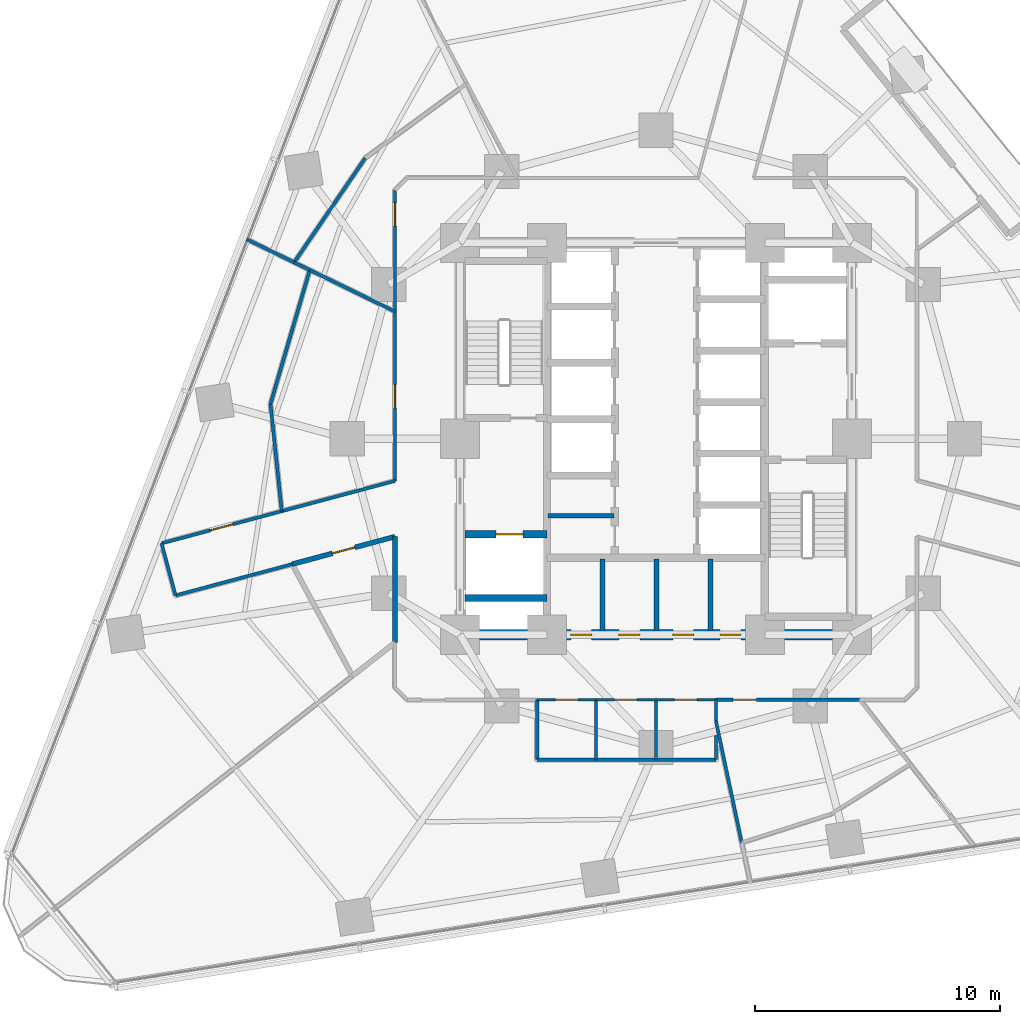
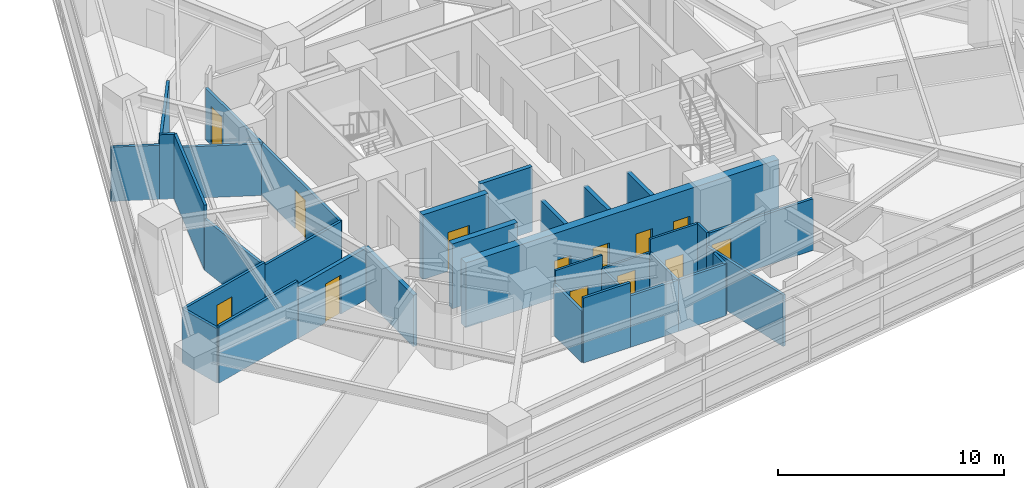
# One storey, part 7 of 13: 34 walls, 13 doors, 13 openings.
"""IFC4 building model written with IfcOpenShell, lengths in metres."""

from ifc_helpers import new_model, si_unit, direction, frame, frame_2d, origin, place, context, subcontext, project, spatial, rectangle, extrude, material, layer, layer_set, type_object, element, fill, save


model = new_model("IFC4")

# Units and contexts
model_context = context("Model", 3, precision=1e-05, world=origin(), true_north=direction((0.0, 1.0)))
body_context = subcontext(model_context, "Body", "Model", "MODEL_VIEW")
ifc_project = project(units=[si_unit("LENGTHUNIT", "METRE"), si_unit("AREAUNIT", "SQUARE_METRE"), si_unit("VOLUMEUNIT", "CUBIC_METRE"), si_unit("PLANEANGLEUNIT", "RADIAN"), si_unit("MASSUNIT", "GRAM", prefix="KILO")], contexts=[model_context])

# Site, building, storey
site_placement = place(None, origin())
site = spatial("IfcSite", under=ifc_project, at=site_placement, CompositionType="ELEMENT")
building_placement = place(site_placement, origin())
building = spatial("IfcBuilding", under=site, at=building_placement, Name="Terralouvre Media Tower", CompositionType="ELEMENT")
storey_placement = place(building_placement, frame((0.0, 0.0, 77.800048828125)))
storey = spatial("IfcBuildingStorey", under=building, at=storey_placement, Name="L19", CompositionType="ELEMENT", Elevation=77.800048828125)

# Wall, opening, door
ifc_material_1 = material(Name="Concrete C50/60", Category="concrete")
ifc_layer_1 = layer(ifc_material_1, 0.300048828125, Name="Core Internal Shaft Wall CW-300")
ifc_layer_set_1 = layer_set([ifc_layer_1], Name="Concrete C50/60")
wall_type_1 = type_object("IfcWallType", Name="Core Internal Shaft Wall CW-300", PredefinedType="SHEAR", material=ifc_layer_set_1)
wall_1_placement = place(storey_placement, frame((-7.7900390625, -3.89990234375, 0.0), z_axis=(0.0, 0.0, 1.0), x_axis=(1.0, 0.0, 0.0)))
wall_1 = element("IfcWall", 1, at=wall_1_placement, inside=storey, type_object=wall_type_1, Name="L19 Core Shaft Wall FF1N", PredefinedType="SHEAR", context=body_context, shape_type="SweptSolid", body=[
    extrude(rectangle(XDim=3.340087890625, YDim=0.300048828125, at=frame_2d((1.669921875, 0.0))), origin(), (0.0, 0.0, 1.0), 3.5),
])
opening_1_placement = place(wall_1_placement, frame((1.27001953125, 0.0, 0.0)))
opening_1 = element("IfcOpeningElement", 2, at=opening_1_placement, cuts=wall_1, Name="Opening LD-FF", PredefinedType="OPENING", context=body_context, shape_type="SweptSolid", body=[
    extrude(rectangle(XDim=1.10009765625, YDim=2.10009765625, at=frame_2d((0.550048828125, 1.050048828125))), frame((0.0, 0.159912109375, 0.0), z_axis=(0.0, -1.0, 0.0), x_axis=(1.0, 0.0, 0.0)), (0.0, 0.0, 1.0), 0.320068359375),
])
ifc_material_2 = material(Name="Stainless steel 316 handrail and balustrade", Category="steel")
door_type_1 = type_object("IfcDoorType", Name="Firefighting Lift Sliding Landing Door LD-FF", OperationType="SLIDING_TO_LEFT", PredefinedType="DOOR", material=ifc_material_2)
door_1_placement = place(opening_1_placement, origin())
door_1 = element("IfcDoor", 3, at=door_1_placement, inside=storey, type_object=door_type_1, Name="L19 Firefighting Lift FFL-01 Landing Door", OperationType="SLIDING_TO_LEFT", OverallHeight=2.10009765625, OverallWidth=1.10009765625, PredefinedType="DOOR", context=body_context, shape_type="SweptSolid", body=[
    extrude(rectangle(XDim=1.10009765625, YDim=2.10009765625, at=frame_2d((0.550048828125, 1.050048828125))), frame((0.0, 0.02490234375, 0.0), z_axis=(0.0, -1.0, 0.0), x_axis=(1.0, 0.0, 0.0)), (0.0, 0.0, 1.0), 0.050048828125),
])
fill(opening_1, door_1)

# Wall
wall_2_placement = place(storey_placement, frame((-7.7900390625, -6.5, 0.0), z_axis=(0.0, 0.0, 1.0), x_axis=(1.0, 0.0, 0.0)))
element("IfcWall", 4, at=wall_2_placement, inside=storey, type_object=wall_type_1, Name="L19 Core Shaft Wall FF1S", PredefinedType="SHEAR", context=body_context, shape_type="SweptSolid", body=[
    extrude(rectangle(XDim=3.340087890625, YDim=0.300048828125, at=frame_2d((1.669921875, 0.0))), origin(), (0.0, 0.0, 1.0), 3.5),
])

# Wall, openings, doors
ifc_material_3 = material(Name="Concrete C60/75", Category="concrete")
ifc_layer_2 = layer(ifc_material_3, 0.419921875, Name="Core Reinforced Concrete Shear Wall CW-420")
ifc_layer_set_2 = layer_set([ifc_layer_2], Name="Concrete C60/75")
wall_type_2 = type_object("IfcWallType", Name="Core Reinforced Concrete Shear Wall CW-420", PredefinedType="SHEAR", material=ifc_layer_set_2)
wall_3_placement = place(storey_placement, frame((-8.0, -8.0, 0.0), z_axis=(0.0, 0.0, 1.0), x_axis=(1.0, 0.0, 0.0)))
wall_3 = element("IfcWall", 5, at=wall_3_placement, inside=storey, type_object=wall_type_2, Name="L19 S Core Shear Wall", PredefinedType="SHEAR", context=body_context, shape_type="SweptSolid", body=[
    extrude(rectangle(XDim=16.0, YDim=0.419921875, at=frame_2d((8.0, 0.0))), origin(), (0.0, 0.0, 1.0), 3.5),
])
opening_2_placement = place(wall_3_placement, frame((4.52880859375, 0.0, 0.0)))
opening_2 = element("IfcOpeningElement", 6, at=opening_2_placement, cuts=wall_3, Name="Opening TD-R1", PredefinedType="OPENING", context=body_context, shape_type="SweptSolid", body=[
    extrude(rectangle(XDim=0.85009765625, YDim=2.02001953125, at=frame_2d((0.425048828125, 1.010009765625))), frame((0.0, 0.219970703125, 0.0), z_axis=(0.0, -1.0, 0.0), x_axis=(1.0, 0.0, 0.0)), (0.0, 0.0, 1.0), 0.43994140625),
])
opening_3_placement = place(wall_3_placement, frame((6.489990234375, 0.0, 0.0)))
opening_3 = element("IfcOpeningElement", 7, at=opening_3_placement, cuts=wall_3, Name="Opening TD-R1", PredefinedType="OPENING", context=body_context, shape_type="SweptSolid", body=[
    extrude(rectangle(XDim=0.85009765625, YDim=2.02001953125, at=frame_2d((0.425048828125, 1.010009765625))), frame((0.0, 0.219970703125, 0.0), z_axis=(0.0, -1.0, 0.0), x_axis=(1.0, 0.0, 0.0)), (0.0, 0.0, 1.0), 0.43994140625),
])
opening_4_placement = place(wall_3_placement, frame((8.68994140625, 0.0, 0.0)))
opening_4 = element("IfcOpeningElement", 8, at=opening_4_placement, cuts=wall_3, Name="Opening TD-R1", PredefinedType="OPENING", context=body_context, shape_type="SweptSolid", body=[
    extrude(rectangle(XDim=0.85009765625, YDim=2.02001953125, at=frame_2d((0.425048828125, 1.010009765625))), frame((0.0, 0.219970703125, 0.0), z_axis=(0.0, -1.0, 0.0), x_axis=(1.0, 0.0, 0.0)), (0.0, 0.0, 1.0), 0.43994140625),
])
opening_5_placement = place(wall_3_placement, frame((10.62109375, 0.0, 0.0)))
opening_5 = element("IfcOpeningElement", 9, at=opening_5_placement, cuts=wall_3, Name="Opening TD-R1", PredefinedType="OPENING", context=body_context, shape_type="SweptSolid", body=[
    extrude(rectangle(XDim=0.85009765625, YDim=2.02001953125, at=frame_2d((0.425048828125, 1.010009765625))), frame((0.0, 0.219970703125, 0.0), z_axis=(0.0, -1.0, 0.0), x_axis=(1.0, 0.0, 0.0)), (0.0, 0.0, 1.0), 0.43994140625),
])
ifc_material_4 = material(Name="Galvanised steel fire-resisting leaf", Category="steel")
door_type_2 = type_object("IfcDoorType", Name="Riser Inspection Access Trapdoor TD-R1", OperationType="NOTDEFINED", PredefinedType="TRAPDOOR", material=ifc_material_4)
door_2_placement = place(opening_2_placement, origin())
door_2 = element("IfcDoor", 10, at=door_2_placement, inside=storey, type_object=door_type_2, Name="L19 Core Battery Plant Door", OperationType="SINGLE_SWING_LEFT", OverallHeight=2.02001953125, OverallWidth=0.85009765625, PredefinedType="TRAPDOOR", context=body_context, shape_type="SweptSolid", body=[
    extrude(rectangle(XDim=0.85009765625, YDim=2.02001953125, at=frame_2d((0.425048828125, 1.010009765625))), frame((0.0, 0.02490234375, 0.0), z_axis=(0.0, -1.0, 0.0), x_axis=(1.0, 0.0, 0.0)), (0.0, 0.0, 1.0), 0.050048828125),
])
fill(opening_2, door_2)
door_3_placement = place(opening_3_placement, origin())
door_3 = element("IfcDoor", 11, at=door_3_placement, inside=storey, type_object=door_type_2, Name="L19 Core IT Patch Plant Door", OperationType="SINGLE_SWING_RIGHT", OverallHeight=2.02001953125, OverallWidth=0.85009765625, PredefinedType="TRAPDOOR", context=body_context, shape_type="SweptSolid", body=[
    extrude(rectangle(XDim=0.85009765625, YDim=2.02001953125, at=frame_2d((0.425048828125, 1.010009765625))), frame((0.0, 0.02490234375, 0.0), z_axis=(0.0, -1.0, 0.0), x_axis=(1.0, 0.0, 0.0)), (0.0, 0.0, 1.0), 0.050048828125),
])
fill(opening_3, door_3)
door_4_placement = place(opening_4_placement, origin())
door_4 = element("IfcDoor", 12, at=door_4_placement, inside=storey, type_object=door_type_2, Name="L19 Core Housekeeping Store Door", OperationType="SINGLE_SWING_LEFT", OverallHeight=2.02001953125, OverallWidth=0.85009765625, PredefinedType="TRAPDOOR", context=body_context, shape_type="SweptSolid", body=[
    extrude(rectangle(XDim=0.85009765625, YDim=2.02001953125, at=frame_2d((0.425048828125, 1.010009765625))), frame((0.0, 0.02490234375, 0.0), z_axis=(0.0, -1.0, 0.0), x_axis=(1.0, 0.0, 0.0)), (0.0, 0.0, 1.0), 0.050048828125),
])
fill(opening_4, door_4)
door_5_placement = place(opening_5_placement, origin())
door_5 = element("IfcDoor", 13, at=door_5_placement, inside=storey, type_object=door_type_2, Name="L19 Core Smoke Damper Plant Door", OperationType="SINGLE_SWING_RIGHT", OverallHeight=2.02001953125, OverallWidth=0.85009765625, PredefinedType="TRAPDOOR", context=body_context, shape_type="SweptSolid", body=[
    extrude(rectangle(XDim=0.85009765625, YDim=2.02001953125, at=frame_2d((0.425048828125, 1.010009765625))), frame((0.0, 0.02490234375, 0.0), z_axis=(0.0, -1.0, 0.0), x_axis=(1.0, 0.0, 0.0)), (0.0, 0.0, 1.0), 0.050048828125),
])
fill(opening_5, door_5)

# Walls
ifc_material_5 = material(Name="Fire-rated gypsum board drywall partition")
ifc_layer_3 = layer(ifc_material_5, 0.199951171875, Name="Fire-Rated Shaft and Lobby Partition FW-200")
ifc_layer_set_3 = layer_set([ifc_layer_3], Name="Fire-rated gypsum board drywall partition")
wall_type_3 = type_object("IfcWallType", Name="Fire-Rated Shaft and Lobby Partition FW-200", PredefinedType="SOLIDWALL", material=ifc_layer_set_3)
for number, where, z_axis, x_axis, name in (
    (14, (-2.179931640625, -7.85009765625, 0.0), (0.0, 0.0, 1.0), (0.0, 1.0, 0.0), "L19 Core Service Bay Partition 1"),
    (15, (0.02001953125, -7.85009765625, 0.0), (0.0, 0.0, 1.0), (0.0, 1.0, 0.0), "L19 Core Service Bay Partition 2"),
    (16, (2.219970703125, -7.85009765625, 0.0), (0.0, 0.0, 1.0), (0.0, 1.0, 0.0), "L19 Core Service Bay Partition 3"),
):
    element("IfcWall", number, at=place(storey_placement, frame(where, z_axis=z_axis, x_axis=x_axis)), inside=storey, type_object=wall_type_3, Name=name, PredefinedType="SOLIDWALL", context=body_context, shape_type="SweptSolid", body=[
        extrude(rectangle(XDim=2.9501953125, YDim=0.199951171875, at=frame_2d((1.47509765625, 0.0))), origin(), (0.0, 0.0, 1.0), 2.885009765625),
    ])
wall_4_placement = place(storey_placement, frame((-4.39990234375, -3.139892578125, 0.0), z_axis=(0.0, 0.0, 1.0), x_axis=(1.0, 0.0, 0.0)))
element("IfcWall", 17, at=wall_4_placement, inside=storey, type_object=wall_type_3, Name="L19 Core West Sub-Partition 1", PredefinedType="SOLIDWALL", context=body_context, shape_type="SweptSolid", body=[
    extrude(rectangle(XDim=2.679931640625, YDim=0.199951171875, at=frame_2d((1.33984375, 0.0))), origin(), (0.0, 0.0, 1.0), 3.5),
])

# Wall, opening, door
wall_5_placement = place(storey_placement, frame((-14.85107421875, -5.117919921875, 0.0), z_axis=(0.0, 0.0, 1.0), x_axis=(0.965909963178, 0.258878239783, 0.0)))
wall_5 = element("IfcWall", 18, at=wall_5_placement, inside=storey, type_object=wall_type_3, Name="L19 Interior Partition 015", PredefinedType="SOLIDWALL", context=body_context, shape_type="SweptSolid", body=[
    extrude(rectangle(XDim=4.349365234375, YDim=0.199951171875, at=frame_2d((2.1748046875, 0.0))), origin(), (0.0, 0.0, 1.0), 2.784912109375),
])
opening_6_placement = place(wall_5_placement, frame((1.69970703125, 0.0, 0.0)))
opening_6 = element("IfcOpeningElement", 19, at=opening_6_placement, cuts=wall_5, Name="Opening FD-02-95X210", PredefinedType="OPENING", context=body_context, shape_type="SweptSolid", body=[
    extrude(rectangle(XDim=0.949951171875, YDim=2.10009765625, at=frame_2d((0.47509765625, 1.050048828125))), frame((0.0, 0.10986328125, 0.0), z_axis=(0.0, -1.0, 0.0), x_axis=(1.0, 0.0, 0.0)), (0.0, 0.0, 1.0), 0.219970703125),
])
ifc_material_6 = material(Name="Galvanised steel fire-resisting leaf", Category="steel")
door_type_3 = type_object("IfcDoorType", Name="Plant and Riser Fire Door FD-02 (950x2100)", OperationType="NOTDEFINED", PredefinedType="DOOR", material=ifc_material_6)
door_6_placement = place(opening_6_placement, origin())
door_6 = element("IfcDoor", 20, at=door_6_placement, inside=storey, type_object=door_type_3, Name="L19 Satellite Downlink Server Room 3 Door", OperationType="SINGLE_SWING_RIGHT", OverallHeight=2.10009765625, OverallWidth=0.949951171875, PredefinedType="DOOR", context=body_context, shape_type="SweptSolid", body=[
    extrude(rectangle(XDim=0.949951171875, YDim=2.10009765625, at=frame_2d((0.47509765625, 1.050048828125))), frame((0.0, 0.02490234375, 0.0), z_axis=(0.0, -1.0, 0.0), x_axis=(1.0, 0.0, 0.0)), (0.0, 0.0, 1.0), 0.050048828125),
])
fill(opening_6, door_6)

# Wall
wall_6_placement = place(storey_placement, frame((-10.64990234375, -3.991943359375, 0.0), z_axis=(0.0, 0.0, 1.0), x_axis=(0.0, -1.0, 0.0)))
element("IfcWall", 21, at=wall_6_placement, inside=storey, type_object=wall_type_3, Name="L19 Interior Partition 016", PredefinedType="SOLIDWALL", context=body_context, shape_type="SweptSolid", body=[
    extrude(rectangle(XDim=4.3291015625, YDim=0.199951171875, at=frame_2d((2.16455078125, 0.0))), origin(), (0.0, 0.0, 1.0), 2.784912109375),
])

# Wall, opening, door
ifc_material_7 = material(Name="Fire-rated gypsum board drywall partition")
ifc_layer_4 = layer(ifc_material_7, 0.135009765625, Name="Newsroom Acoustic Partition PT-135")
ifc_layer_set_4 = layer_set([ifc_layer_4], Name="Fire-rated gypsum board drywall partition")
wall_type_4 = type_object("IfcWallType", Name="Newsroom Acoustic Partition PT-135", PredefinedType="PARTITIONING", material=ifc_layer_set_4)
wall_7_placement = place(storey_placement, frame((-15.27587890625, -2.9541015625, 0.0), z_axis=(0.0, 0.0, 1.0), x_axis=(-0.965923168362, -0.258828964418, 0.0)))
wall_7 = element("IfcWall", 22, at=wall_7_placement, inside=storey, type_object=wall_type_4, Name="L19 Interior Partition 017", PredefinedType="PARTITIONING", context=body_context, shape_type="SweptSolid", body=[
    extrude(rectangle(XDim=5.080322265625, YDim=0.135009765625, at=frame_2d((2.5400390625, 0.0))), origin(), (0.0, 0.0, 1.0), 2.93505859375),
])
opening_7_placement = place(wall_7_placement, frame((2.065185546875, 0.0, 0.0)))
opening_7 = element("IfcOpeningElement", 23, at=opening_7_placement, cuts=wall_7, Name="Opening ID-02-95X210", PredefinedType="OPENING", context=body_context, shape_type="SweptSolid", body=[
    extrude(rectangle(XDim=0.949951171875, YDim=2.10009765625, at=frame_2d((0.47509765625, 1.050048828125))), frame((0.0, 0.077392578125, 0.0), z_axis=(0.0, -1.0, 0.0), x_axis=(1.0, 0.0, 0.0)), (0.0, 0.0, 1.0), 0.155029296875),
])
ifc_material_8 = material(Name="Engineered hardwood acoustic timber leaf", Category="wood")
door_type_4 = type_object("IfcDoorType", Name="Office and Meeting Room Door ID-02 (950x2100)", OperationType="NOTDEFINED", PredefinedType="DOOR", material=ifc_material_8)
door_7_placement = place(opening_7_placement, origin())
door_7 = element("IfcDoor", 24, at=door_7_placement, inside=storey, type_object=door_type_4, Name="L19 Treaty Reference Library 4 Door", OperationType="SINGLE_SWING_LEFT", OverallHeight=2.10009765625, OverallWidth=0.949951171875, PredefinedType="DOOR", context=body_context, shape_type="SweptSolid", body=[
    extrude(rectangle(XDim=0.949951171875, YDim=2.10009765625, at=frame_2d((0.47509765625, 1.050048828125))), frame((0.0, 0.02490234375, 0.0), z_axis=(0.0, -1.0, 0.0), x_axis=(1.0, 0.0, 0.0)), (0.0, 0.0, 1.0), 0.050048828125),
])
fill(opening_7, door_7)

# Walls
wall_8_placement = place(storey_placement, frame((-20.18310546875, -4.26904296875, 0.0), z_axis=(0.0, 0.0, 1.0), x_axis=(0.259105843213, -0.965848933329, 0.0)))
element("IfcWall", 25, at=wall_8_placement, inside=storey, type_object=wall_type_4, Name="L19 Interior Partition 018", PredefinedType="PARTITIONING", context=body_context, shape_type="SweptSolid", body=[
    extrude(rectangle(XDim=2.2001953125, YDim=0.135009765625, at=frame_2d((1.10009765625, 0.0))), origin(), (0.0, 0.0, 1.0), 2.93505859375),
])
wall_9_placement = place(storey_placement, frame((-19.613037109375, -6.39404296875, 0.0), z_axis=(0.0, 0.0, 1.0), x_axis=(0.965917766169, 0.258849124007, 0.0)))
element("IfcWall", 26, at=wall_9_placement, inside=storey, type_object=wall_type_4, Name="L19 Interior Partition 019", PredefinedType="PARTITIONING", context=body_context, shape_type="SweptSolid", body=[
    extrude(rectangle(XDim=4.929931640625, YDim=0.135009765625, at=frame_2d((2.46484375, 0.0))), origin(), (0.0, 0.0, 1.0), 3.0849609375),
])

# Wall, opening, door
wall_10_placement = place(storey_placement, frame((-10.64990234375, 5.194091796875, 0.0), z_axis=(0.0, 0.0, 1.0), x_axis=(0.0, -1.0, 0.0)))
wall_10 = element("IfcWall", 27, at=wall_10_placement, inside=storey, type_object=wall_type_4, Name="L19 Interior Partition 020", PredefinedType="PARTITIONING", context=body_context, shape_type="SweptSolid", body=[
    extrude(rectangle(XDim=6.9091796875, YDim=0.135009765625, at=frame_2d((3.45458984375, 0.0))), origin(), (0.0, 0.0, 1.0), 2.784912109375),
])
opening_8_placement = place(wall_10_placement, frame((2.9794921875, 0.0, 0.0)))
opening_8 = element("IfcOpeningElement", 28, at=opening_8_placement, cuts=wall_10, Name="Opening ID-02-95X210", PredefinedType="OPENING", context=body_context, shape_type="SweptSolid", body=[
    extrude(rectangle(XDim=0.949951171875, YDim=2.10009765625, at=frame_2d((0.47509765625, 1.050048828125))), frame((0.0, 0.077392578125, 0.0), z_axis=(0.0, -1.0, 0.0), x_axis=(1.0, 0.0, 0.0)), (0.0, 0.0, 1.0), 0.155029296875),
])
door_8_placement = place(opening_8_placement, origin())
door_8 = element("IfcDoor", 29, at=door_8_placement, inside=storey, type_object=door_type_4, Name="L19 Editorial Collaborative Open Office 5 Door", OperationType="SINGLE_SWING_RIGHT", OverallHeight=2.10009765625, OverallWidth=0.949951171875, PredefinedType="DOOR", context=body_context, shape_type="SweptSolid", body=[
    extrude(rectangle(XDim=0.949951171875, YDim=2.10009765625, at=frame_2d((0.47509765625, 1.050048828125))), frame((0.0, 0.02490234375, 0.0), z_axis=(0.0, -1.0, 0.0), x_axis=(1.0, 0.0, 0.0)), (0.0, 0.0, 1.0), 0.050048828125),
])
fill(opening_8, door_8)

# Wall
wall_11_placement = place(storey_placement, frame((-10.64990234375, -1.715087890625, 0.0), z_axis=(0.0, 0.0, 1.0), x_axis=(-0.965952601708, -0.258719097196, 0.0)))
element("IfcWall", 30, at=wall_11_placement, inside=storey, type_object=wall_type_4, Name="L19 Interior Partition 021", PredefinedType="PARTITIONING", context=body_context, shape_type="SweptSolid", body=[
    extrude(rectangle(XDim=4.7890625, YDim=0.135009765625, at=frame_2d((2.39453125, 0.0))), origin(), (0.0, 0.0, 1.0), 2.784912109375),
])

# Wall, opening, door
wall_12_placement = place(storey_placement, frame((2.449951171875, -10.64990234375, 0.0), z_axis=(0.0, 0.0, 1.0), x_axis=(1.0, 0.0, 0.0)))
wall_12 = element("IfcWall", 31, at=wall_12_placement, inside=storey, type_object=wall_type_4, Name="L19 Interior Partition 028", PredefinedType="PARTITIONING", context=body_context, shape_type="SweptSolid", body=[
    extrude(rectangle(XDim=5.87109375, YDim=0.135009765625, at=frame_2d((2.935546875, 0.0))), origin(), (0.0, 0.0, 1.0), 2.784912109375),
])
opening_9_placement = place(wall_12_placement, frame((0.69921875, 0.0, 0.0)))
opening_9 = element("IfcOpeningElement", 32, at=opening_9_placement, cuts=wall_12, Name="Opening ID-02-95X210", PredefinedType="OPENING", context=body_context, shape_type="SweptSolid", body=[
    extrude(rectangle(XDim=0.949951171875, YDim=2.10009765625, at=frame_2d((0.47509765625, 1.050048828125))), frame((0.0, 0.077392578125, 0.0), z_axis=(0.0, -1.0, 0.0), x_axis=(1.0, 0.0, 0.0)), (0.0, 0.0, 1.0), 0.155029296875),
])
door_9_placement = place(opening_9_placement, origin())
door_9 = element("IfcDoor", 33, at=door_9_placement, inside=storey, type_object=door_type_4, Name="L19 Archival Microfilm Storage 7 Door", OperationType="SINGLE_SWING_LEFT", OverallHeight=2.10009765625, OverallWidth=0.949951171875, PredefinedType="DOOR", context=body_context, shape_type="SweptSolid", body=[
    extrude(rectangle(XDim=0.949951171875, YDim=2.10009765625, at=frame_2d((0.47509765625, 1.050048828125))), frame((0.0, 0.02490234375, 0.0), z_axis=(0.0, -1.0, 0.0), x_axis=(1.0, 0.0, 0.0)), (0.0, 0.0, 1.0), 0.050048828125),
])
fill(opening_9, door_9)

wall_13_placement = place(storey_placement, frame((-10.64990234375, 10.14990234375, 0.0), z_axis=(0.0, 0.0, 1.0), x_axis=(0.0, -1.0, 0.0)))
wall_13 = element("IfcWall", 34, at=wall_13_placement, inside=storey, type_object=wall_type_4, Name="L19 Interior Partition 031", PredefinedType="PARTITIONING", context=body_context, shape_type="SweptSolid", body=[
    extrude(rectangle(XDim=4.955810546875, YDim=0.135009765625, at=frame_2d((2.47802734375, 0.0))), origin(), (0.0, 0.0, 1.0), 2.784912109375),
])
opening_10_placement = place(wall_13_placement, frame((0.51611328125, 0.0, 0.0)))
opening_10 = element("IfcOpeningElement", 35, at=opening_10_placement, cuts=wall_13, Name="Opening ID-02-95X210", PredefinedType="OPENING", context=body_context, shape_type="SweptSolid", body=[
    extrude(rectangle(XDim=0.949951171875, YDim=2.10009765625, at=frame_2d((0.47509765625, 1.050048828125))), frame((0.0, 0.077392578125, 0.0), z_axis=(0.0, -1.0, 0.0), x_axis=(1.0, 0.0, 0.0)), (0.0, 0.0, 1.0), 0.155029296875),
])
door_10_placement = place(opening_10_placement, origin())
door_10 = element("IfcDoor", 36, at=door_10_placement, inside=storey, type_object=door_type_4, Name="L19 ASEAN Regional Bureau Open Office 10 Door", OperationType="SINGLE_SWING_RIGHT", OverallHeight=2.10009765625, OverallWidth=0.949951171875, PredefinedType="DOOR", context=body_context, shape_type="SweptSolid", body=[
    extrude(rectangle(XDim=0.949951171875, YDim=2.10009765625, at=frame_2d((0.47509765625, 1.050048828125))), frame((0.0, 0.02490234375, 0.0), z_axis=(0.0, -1.0, 0.0), x_axis=(1.0, 0.0, 0.0)), (0.0, 0.0, 1.0), 0.050048828125),
])
fill(opening_10, door_10)

# Walls
wall_14_placement = place(storey_placement, frame((-15.27587890625, -2.9541015625, 0.0), z_axis=(0.0, 0.0, 1.0), x_axis=(-0.104560622475, 0.994518514774, 0.0)))
element("IfcWall", 37, at=wall_14_placement, inside=storey, type_object=wall_type_4, Name="L19 Interior Partition 039", PredefinedType="PARTITIONING", context=body_context, shape_type="SweptSolid", body=[
    extrude(rectangle(XDim=4.4013671875, YDim=0.135009765625, at=frame_2d((2.20068359375, 0.0))), origin(), (0.0, 0.0, 1.0), 2.784912109375),
])
wall_15_placement = place(storey_placement, frame((-15.736083984375, 1.423095703125, 0.0), z_axis=(0.0, 0.0, 1.0), x_axis=(0.281231672123, 0.959639904649, 0.0)))
element("IfcWall", 38, at=wall_15_placement, inside=storey, type_object=wall_type_4, Name="L19 Interior Partition 040", PredefinedType="PARTITIONING", context=body_context, shape_type="SweptSolid", body=[
    extrude(rectangle(XDim=5.699951171875, YDim=0.135009765625, at=frame_2d((2.85009765625, 0.0))), origin(), (0.0, 0.0, 1.0), 3.5),
])
wall_16_placement = place(storey_placement, frame((-14.76904296875, 7.202880859375, 0.0), z_axis=(0.0, 0.0, 1.0), x_axis=(-0.898774971292, 0.438410254191, 0.0)))
element("IfcWall", 39, at=wall_16_placement, inside=storey, type_object=wall_type_4, Name="L19 Interior Partition 042", PredefinedType="PARTITIONING", context=body_context, shape_type="SweptSolid", body=[
    extrude(rectangle(XDim=2.1572265625, YDim=0.135009765625, at=frame_2d((1.07861328125, 0.0))), origin(), (0.0, 0.0, 1.0), 2.93505859375),
])
wall_17_placement = place(storey_placement, frame((-14.133056640625, 6.89306640625, 0.0), z_axis=(0.0, 0.0, 1.0), x_axis=(-0.899003804691, 0.437940816949, 0.0)))
element("IfcWall", 40, at=wall_17_placement, inside=storey, type_object=wall_type_4, Name="L19 Interior Partition 043", PredefinedType="PARTITIONING", context=body_context, shape_type="SweptSolid", body=[
    extrude(rectangle(XDim=0.70751953125, YDim=0.135009765625, at=frame_2d((0.353759765625, 0.0))), origin(), (0.0, 0.0, 1.0), 3.5),
])
wall_18_placement = place(storey_placement, frame((-10.64990234375, 5.194091796875, 0.0), z_axis=(0.0, 0.0, 1.0), x_axis=(-0.898781159743, 0.438397567159, 0.0)))
element("IfcWall", 41, at=wall_18_placement, inside=storey, type_object=wall_type_4, Name="L19 Interior Partition 044", PredefinedType="PARTITIONING", context=body_context, shape_type="SweptSolid", body=[
    extrude(rectangle(XDim=3.87548828125, YDim=0.135009765625, at=frame_2d((1.937744140625, 0.0))), origin(), (0.0, 0.0, 1.0), 2.784912109375),
])
wall_19_placement = place(storey_placement, frame((-2.449951171875, -13.10009765625, 0.0), z_axis=(0.0, 0.0, 1.0), x_axis=(-1.0, 0.0, 0.0)))
element("IfcWall", 42, at=wall_19_placement, inside=storey, type_object=wall_type_4, Name="L19 Interior Partition 045", PredefinedType="PARTITIONING", context=body_context, shape_type="SweptSolid", body=[
    extrude(rectangle(XDim=2.400146484375, YDim=0.135009765625, at=frame_2d((1.2001953125, 0.0))), origin(), (0.0, 0.0, 1.0), 3.5),
])
wall_20_placement = place(storey_placement, frame((-4.85009765625, -13.10009765625, 0.0), z_axis=(0.0, 0.0, 1.0), x_axis=(0.0, 1.0, 0.0)))
element("IfcWall", 43, at=wall_20_placement, inside=storey, type_object=wall_type_4, Name="L19 Interior Partition 046", PredefinedType="PARTITIONING", context=body_context, shape_type="SweptSolid", body=[
    extrude(rectangle(XDim=2.4501953125, YDim=0.135009765625, at=frame_2d((1.22509765625, 0.0))), origin(), (0.0, 0.0, 1.0), 2.784912109375),
])
wall_21_placement = place(storey_placement, frame((0.0, -13.10009765625, 0.0), z_axis=(0.0, 0.0, 1.0), x_axis=(-1.0, 0.0, 0.0)))
element("IfcWall", 44, at=wall_21_placement, inside=storey, type_object=wall_type_4, Name="L19 Interior Partition 047", PredefinedType="PARTITIONING", context=body_context, shape_type="SweptSolid", body=[
    extrude(rectangle(XDim=2.449951171875, YDim=0.135009765625, at=frame_2d((1.22509765625, 0.0))), origin(), (0.0, 0.0, 1.0), 2.784912109375),
])
wall_22_placement = place(storey_placement, frame((2.449951171875, -12.103271484375, 0.0), z_axis=(0.0, 0.0, 1.0), x_axis=(0.0, -1.0, 0.0)))
element("IfcWall", 45, at=wall_22_placement, inside=storey, type_object=wall_type_4, Name="L19 Interior Partition 048", PredefinedType="PARTITIONING", context=body_context, shape_type="SweptSolid", body=[
    extrude(rectangle(XDim=0.996826171875, YDim=0.135009765625, at=frame_2d((0.49853515625, 0.0))), origin(), (0.0, 0.0, 1.0), 2.784912109375),
])
wall_23_placement = place(storey_placement, frame((2.449951171875, -13.10009765625, 0.0), z_axis=(0.0, 0.0, 1.0), x_axis=(-1.0, 0.0, 0.0)))
element("IfcWall", 46, at=wall_23_placement, inside=storey, type_object=wall_type_4, Name="L19 Interior Partition 049", PredefinedType="PARTITIONING", context=body_context, shape_type="SweptSolid", body=[
    extrude(rectangle(XDim=2.449951171875, YDim=0.135009765625, at=frame_2d((1.22509765625, 0.0))), origin(), (0.0, 0.0, 1.0), 2.784912109375),
])
wall_24_placement = place(storey_placement, frame((3.5029296875, -16.48095703125, 0.0), z_axis=(0.0, 0.0, 1.0), x_axis=(-0.207863367053, 0.97815787102, 0.0)))
element("IfcWall", 47, at=wall_24_placement, inside=storey, type_object=wall_type_4, Name="L19 Interior Partition 050", PredefinedType="PARTITIONING", context=body_context, shape_type="SweptSolid", body=[
    extrude(rectangle(XDim=5.065673828125, YDim=0.135009765625, at=frame_2d((2.53271484375, 0.0))), origin(), (0.0, 0.0, 1.0), 2.784912109375),
])
wall_25_placement = place(storey_placement, frame((-14.76904296875, 7.202880859375, 0.0), z_axis=(0.0, 0.0, 1.0), x_axis=(0.562841259026, 0.826565010836, 0.0)))
element("IfcWall", 48, at=wall_25_placement, inside=storey, type_object=wall_type_4, Name="L19 Interior Partition 057", PredefinedType="PARTITIONING", context=body_context, shape_type="SweptSolid", body=[
    extrude(rectangle(XDim=5.152587890625, YDim=0.135009765625, at=frame_2d((2.576171875, 0.0))), origin(), (0.0, 0.0, 1.0), 2.784912109375),
])

# Wall, opening, door
ifc_material_9 = material(Name="Fire-rated gypsum board drywall partition")
ifc_layer_5 = layer(ifc_material_9, 0.114990234375, Name="Restroom and Pantry Partition PT-115")
ifc_layer_set_5 = layer_set([ifc_layer_5], Name="Fire-rated gypsum board drywall partition")
wall_type_5 = type_object("IfcWallType", Name="Restroom and Pantry Partition PT-115", PredefinedType="PARTITIONING", material=ifc_layer_set_5)
wall_26_placement = place(storey_placement, frame((-4.85009765625, -10.64990234375, 0.0), z_axis=(0.0, 0.0, 1.0), x_axis=(1.0, 0.0, 0.0)))
wall_26 = element("IfcWall", 49, at=wall_26_placement, inside=storey, type_object=wall_type_5, Name="L19 Interior Partition 025", PredefinedType="PARTITIONING", context=body_context, shape_type="SweptSolid", body=[
    extrude(rectangle(XDim=2.400146484375, YDim=0.114990234375, at=frame_2d((1.2001953125, 0.0))), origin(), (0.0, 0.0, 1.0), 3.5),
])
opening_11_placement = place(wall_26_placement, frame((0.739990234375, 0.0, 0.0)))
opening_11 = element("IfcOpeningElement", 50, at=opening_11_placement, cuts=wall_26, Name="Opening ID-03-92X210", PredefinedType="OPENING", context=body_context, shape_type="SweptSolid", body=[
    extrude(rectangle(XDim=0.919921875, YDim=2.10009765625, at=frame_2d((0.4599609375, 1.050048828125))), frame((0.0, 0.0673828125, 0.0), z_axis=(0.0, -1.0, 0.0), x_axis=(1.0, 0.0, 0.0)), (0.0, 0.0, 1.0), 0.135009765625),
])
ifc_material_10 = material(Name="Engineered hardwood acoustic timber leaf", Category="wood")
door_type_5 = type_object("IfcDoorType", Name="Accessible Restroom and Suite Door ID-03 (920x2100)", OperationType="NOTDEFINED", PredefinedType="DOOR", material=ifc_material_10)
door_11_placement = place(opening_11_placement, origin())
door_11 = element("IfcDoor", 51, at=door_11_placement, inside=storey, type_object=door_type_5, Name="L19 Male Restroom WC Door", OperationType="SINGLE_SWING_RIGHT", OverallHeight=2.10009765625, OverallWidth=0.919921875, PredefinedType="DOOR", context=body_context, shape_type="SweptSolid", body=[
    extrude(rectangle(XDim=0.919921875, YDim=2.10009765625, at=frame_2d((0.4599609375, 1.050048828125))), frame((0.0, 0.02490234375, 0.0), z_axis=(0.0, -1.0, 0.0), x_axis=(1.0, 0.0, 0.0)), (0.0, 0.0, 1.0), 0.050048828125),
])
fill(opening_11, door_11)

wall_27_placement = place(storey_placement, frame((-2.449951171875, -10.64990234375, 0.0), z_axis=(0.0, 0.0, 1.0), x_axis=(1.0, 0.0, 0.0)))
wall_27 = element("IfcWall", 52, at=wall_27_placement, inside=storey, type_object=wall_type_5, Name="L19 Interior Partition 026", PredefinedType="PARTITIONING", context=body_context, shape_type="SweptSolid", body=[
    extrude(rectangle(XDim=2.449951171875, YDim=0.114990234375, at=frame_2d((1.22509765625, 0.0))), origin(), (0.0, 0.0, 1.0), 2.784912109375),
])
opening_12_placement = place(wall_27_placement, frame((0.764892578125, 0.0, 0.0)))
opening_12 = element("IfcOpeningElement", 53, at=opening_12_placement, cuts=wall_27, Name="Opening ID-03-92X210", PredefinedType="OPENING", context=body_context, shape_type="SweptSolid", body=[
    extrude(rectangle(XDim=0.919921875, YDim=2.10009765625, at=frame_2d((0.4599609375, 1.050048828125))), frame((0.0, 0.0673828125, 0.0), z_axis=(0.0, -1.0, 0.0), x_axis=(1.0, 0.0, 0.0)), (0.0, 0.0, 1.0), 0.135009765625),
])
door_12_placement = place(opening_12_placement, origin())
door_12 = element("IfcDoor", 54, at=door_12_placement, inside=storey, type_object=door_type_5, Name="L19 Female Restroom WC Door", OperationType="SINGLE_SWING_LEFT", OverallHeight=2.10009765625, OverallWidth=0.919921875, PredefinedType="DOOR", context=body_context, shape_type="SweptSolid", body=[
    extrude(rectangle(XDim=0.919921875, YDim=2.10009765625, at=frame_2d((0.4599609375, 1.050048828125))), frame((0.0, 0.02490234375, 0.0), z_axis=(0.0, -1.0, 0.0), x_axis=(1.0, 0.0, 0.0)), (0.0, 0.0, 1.0), 0.050048828125),
])
fill(opening_12, door_12)

wall_28_placement = place(storey_placement, frame((0.0, -10.64990234375, 0.0), z_axis=(0.0, 0.0, 1.0), x_axis=(1.0, 0.0, 0.0)))
wall_28 = element("IfcWall", 55, at=wall_28_placement, inside=storey, type_object=wall_type_5, Name="L19 Interior Partition 027", PredefinedType="PARTITIONING", context=body_context, shape_type="SweptSolid", body=[
    extrude(rectangle(XDim=2.449951171875, YDim=0.114990234375, at=frame_2d((1.22509765625, 0.0))), origin(), (0.0, 0.0, 1.0), 3.5),
])
opening_13_placement = place(wall_28_placement, frame((0.764892578125, 0.0, 0.0)))
opening_13 = element("IfcOpeningElement", 56, at=opening_13_placement, cuts=wall_28, Name="Opening ID-03-92X210", PredefinedType="OPENING", context=body_context, shape_type="SweptSolid", body=[
    extrude(rectangle(XDim=0.919921875, YDim=2.10009765625, at=frame_2d((0.4599609375, 1.050048828125))), frame((0.0, 0.0673828125, 0.0), z_axis=(0.0, -1.0, 0.0), x_axis=(1.0, 0.0, 0.0)), (0.0, 0.0, 1.0), 0.135009765625),
])
door_13_placement = place(opening_13_placement, origin())
door_13 = element("IfcDoor", 57, at=door_13_placement, inside=storey, type_object=door_type_5, Name="L19 Accessible Unisex WC Door", OperationType="SINGLE_SWING_RIGHT", OverallHeight=2.10009765625, OverallWidth=0.919921875, PredefinedType="DOOR", context=body_context, shape_type="SweptSolid", body=[
    extrude(rectangle(XDim=0.919921875, YDim=2.10009765625, at=frame_2d((0.4599609375, 1.050048828125))), frame((0.0, 0.02490234375, 0.0), z_axis=(0.0, -1.0, 0.0), x_axis=(1.0, 0.0, 0.0)), (0.0, 0.0, 1.0), 0.050048828125),
])
fill(opening_13, door_13)

# Walls
for number, where, z_axis, x_axis, name in (
    (58, (-2.449951171875, -13.10009765625, 0.0), (0.0, 0.0, 1.0), (0.0, 1.0, 0.0), "L19 Interior Partition 052"),
    (59, (0.0, -13.10009765625, 0.0), (0.0, 0.0, 1.0), (0.0, 1.0, 0.0), "L19 Interior Partition 053"),
):
    element("IfcWall", number, at=place(storey_placement, frame(where, z_axis=z_axis, x_axis=x_axis)), inside=storey, type_object=wall_type_5, Name=name, PredefinedType="PARTITIONING", context=body_context, shape_type="SweptSolid", body=[
        extrude(rectangle(XDim=2.4501953125, YDim=0.114990234375, at=frame_2d((1.22509765625, 0.0))), origin(), (0.0, 0.0, 1.0), 2.784912109375),
    ])
wall_29_placement = place(storey_placement, frame((2.449951171875, -11.52587890625, 0.0), z_axis=(0.0, 0.0, 1.0), x_axis=(0.0, 1.0, 0.0)))
element("IfcWall", 60, at=wall_29_placement, inside=storey, type_object=wall_type_5, Name="L19 Interior Partition 054", PredefinedType="PARTITIONING", context=body_context, shape_type="SweptSolid", body=[
    extrude(rectangle(XDim=0.8759765625, YDim=0.114990234375, at=frame_2d((0.43798828125, 0.0))), origin(), (0.0, 0.0, 1.0), 3.5),
])

save(model, "model.ifc")
